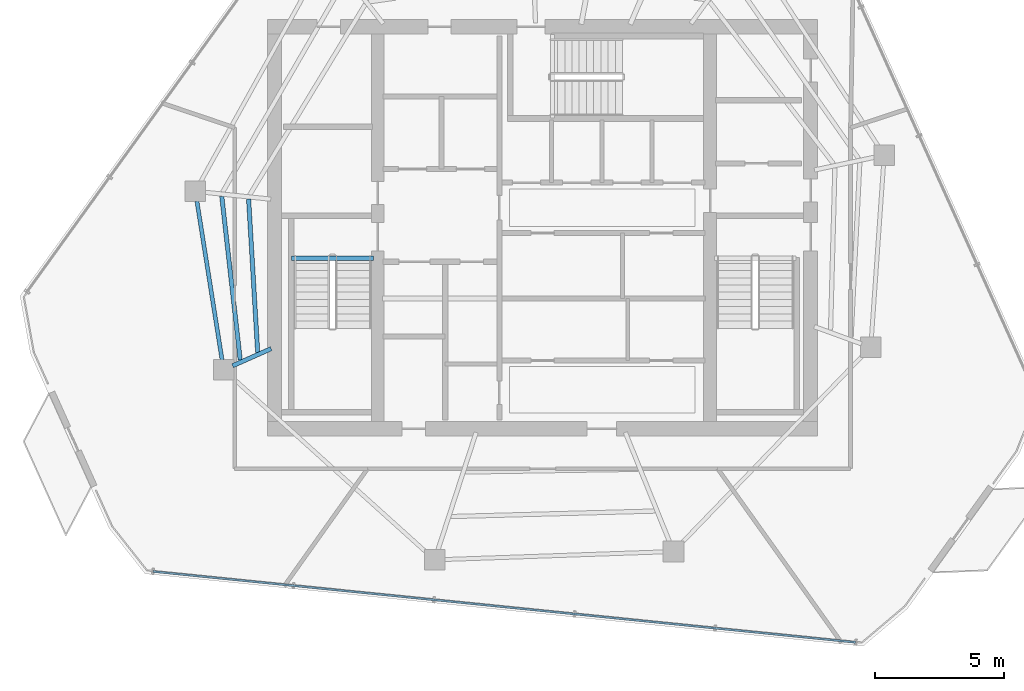
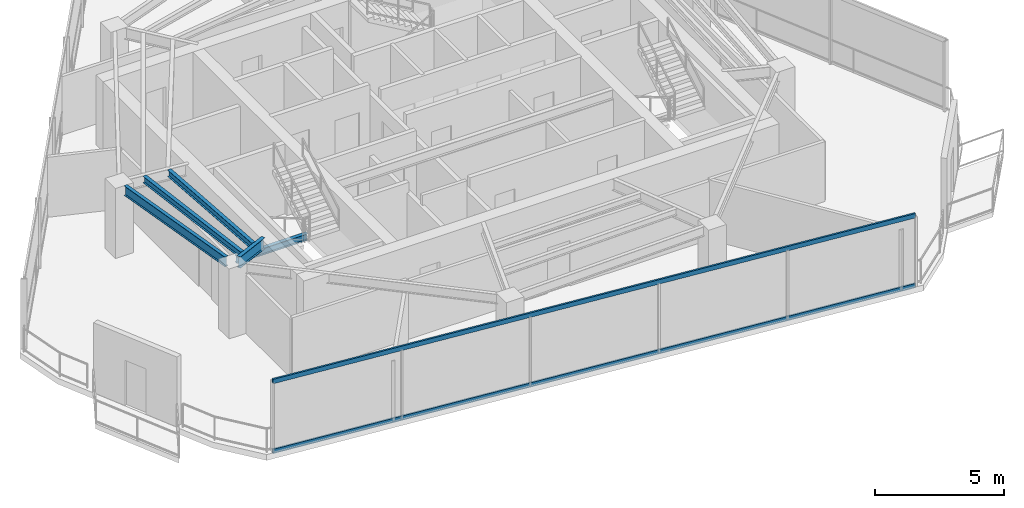
# One storey, part 3 of 18: 5 beams, 2 members, 1 element without a shape of its own.
"""IFC4 building model written with IfcOpenShell, lengths in metres."""

from ifc_helpers import new_model, si_unit, direction, frame, origin, origin_2d, place, context, subcontext, project, spatial, hollow_rectangle, i_section, extrude, material, layer, layer_set, material_profile, profile_set, type_object, element, aggregate, save


model = new_model("IFC4")

# Units and contexts
model_context = context("Model", 3, precision=1e-05, world=origin(), true_north=direction((0.0, 1.0)))
body_context = subcontext(model_context, "Body", "Model", "MODEL_VIEW")
ifc_project = project(units=[si_unit("LENGTHUNIT", "METRE"), si_unit("AREAUNIT", "SQUARE_METRE"), si_unit("VOLUMEUNIT", "CUBIC_METRE"), si_unit("PLANEANGLEUNIT", "RADIAN"), si_unit("MASSUNIT", "GRAM", prefix="KILO")], contexts=[model_context])

# Site, building, storey
site_placement = place(None, origin())
site = spatial("IfcSite", under=ifc_project, at=site_placement, CompositionType="ELEMENT")
building_placement = place(site_placement, origin())
building = spatial("IfcBuilding", under=site, at=building_placement, Name="Qarnah Convention Tower", CompositionType="ELEMENT")
storey_placement = place(building_placement, frame((0.0, 0.0, 271.5)))
storey = spatial("IfcBuildingStorey", under=building, at=storey_placement, Name="L73", CompositionType="ELEMENT", Elevation=271.5)

# Beams
ifc_material_1 = material(Name="Structural steel S355JR", Category="steel")
ifc_material_profile_1 = material_profile(ifc_material_1, i_section(OverallWidth=0.166015625, OverallDepth=0.31201171875, WebThickness=0.007080078125, FlangeThickness=0.010986328125, at=origin_2d()), Name="W310X45")
ifc_profile_set_1 = profile_set([ifc_material_profile_1], Name="Structural steel S355JR")
beam_type_1 = type_object("IfcBeamType", Name="BM-JST-W310", PredefinedType="JOIST", material=ifc_profile_set_1)
beam_1_placement = place(storey_placement, frame((27.4599609375, 25.217041015625, -0.156005859375), z_axis=(1.0, 0.0, 0.0), x_axis=(0.0, 1.0, 0.0)))
element("IfcBeam", 1, at=beam_1_placement, inside=storey, type_object=beam_type_1, Name="L73 stair landing trimmer beam BM-L73-ST1-TRM", PredefinedType="BEAM", context=body_context, shape_type="SweptSolid", body=[
    extrude(i_section(OverallWidth=0.166015625, OverallDepth=0.31201171875, WebThickness=0.007080078125, FlangeThickness=0.010986328125, at=origin_2d()), origin(), (0.0, 0.0, 1.0), 3.179931640625),
])
beam_2_placement = place(storey_placement, frame((24.7490234375, 27.6201171875, 3.1640625), z_axis=(0.111886248567, -0.993721020902, 0.0), x_axis=(0.993721020902, 0.111886248567, 0.0)))
element("IfcBeam", 2, at=beam_2_placement, inside=storey, type_object=beam_type_1, Name="L73 joist BM-L73-SJST-05", PredefinedType="JOIST", context=body_context, shape_type="SweptSolid", body=[
    extrude(i_section(OverallWidth=0.166015625, OverallDepth=0.31201171875, WebThickness=0.007080078125, FlangeThickness=0.010986328125, at=origin_2d()), origin(), (0.0, 0.0, 1.0), 6.39111328125),
])
beam_3_placement = place(storey_placement, frame((25.7900390625, 27.510009765625, 3.1640625), z_axis=(0.059154877701, -0.998248816901, 0.0), x_axis=(0.998248816901, 0.059154877701, 0.0)))
element("IfcBeam", 3, at=beam_3_placement, inside=storey, type_object=beam_type_1, Name="L73 joist BM-L73-IJST-05", PredefinedType="JOIST", context=body_context, shape_type="SweptSolid", body=[
    extrude(i_section(OverallWidth=0.166015625, OverallDepth=0.31201171875, WebThickness=0.007080078125, FlangeThickness=0.010986328125, at=origin_2d()), origin(), (0.0, 0.0, 1.0), 5.951416015625),
])
ifc_material_profile_2 = material_profile(ifc_material_1, i_section(OverallWidth=0.166015625, OverallDepth=0.535888671875, WebThickness=0.010009765625, FlangeThickness=0.01708984375, at=origin_2d()), Name="W530X85")
ifc_profile_set_2 = profile_set([ifc_material_profile_2], Name="Structural steel S355JR")
beam_type_2 = type_object("IfcBeamType", Name="BM-RAD-W530B", PredefinedType="BEAM", material=ifc_profile_set_2)
beam_4_placement = place(storey_placement, frame((26.6630859375, 21.708984375, 3.052001953125), z_axis=(-0.913688456795, -0.406415309652, 0.0), x_axis=(0.406415309652, -0.913688456795, 0.0)))
element("IfcBeam", 4, at=beam_4_placement, inside=storey, type_object=beam_type_2, Name="L73 beam BM-L73-RAD-06", PredefinedType="BEAM", context=body_context, shape_type="SweptSolid", body=[
    extrude(i_section(OverallWidth=0.166015625, OverallDepth=0.535888671875, WebThickness=0.010009765625, FlangeThickness=0.01708984375, at=origin_2d()), origin(), (0.0, 0.0, 1.0), 1.636474609375),
])
ifc_material_profile_3 = material_profile(ifc_material_1, i_section(OverallWidth=0.154052734375, OverallDepth=0.4599609375, WebThickness=0.009033203125, FlangeThickness=0.014892578125, at=origin_2d()), Name="W460X68")
ifc_profile_set_3 = profile_set([ifc_material_profile_3], Name="Structural steel S355JR")
beam_type_3 = type_object("IfcBeamType", Name="BM-SPN-W460B", PredefinedType="SPANDREL", material=ifc_profile_set_3)
beam_5_placement = place(storey_placement, frame((23.784912109375, 27.430908203125, 3.090087890625), z_axis=(0.156423110156, -0.987690138965, 0.0), x_axis=(0.987690138965, 0.156423110156, 0.0)))
element("IfcBeam", 5, at=beam_5_placement, inside=storey, type_object=beam_type_3, Name="L73 spandrel BM-L73-SPN-05", PredefinedType="SPANDREL", context=body_context, shape_type="SweptSolid", body=[
    extrude(i_section(OverallWidth=0.154052734375, OverallDepth=0.4599609375, WebThickness=0.009033203125, FlangeThickness=0.014892578125, at=origin_2d()), origin(), (0.0, 0.0, 1.0), 6.233642578125),
])

# Curtain wall, members
ifc_material_2 = material(Name="Tempered Low-E dark glass", Category="glass")
ifc_layer = layer(ifc_material_2, 0.176025390625)
ifc_layer_set = layer_set([ifc_layer], Name="Tempered Low-E dark glass")
curtain_wall_type = type_object("IfcCurtainWallType", Name="CWS-05", PredefinedType="NOTDEFINED", material=ifc_layer_set)
curtain_wall_placement = place(storey_placement, origin())
curtain_wall = element("IfcCurtainWall", 6, at=curtain_wall_placement, inside=storey, type_object=curtain_wall_type, Name="L73 unitised curtain wall CW-L73-F3", PredefinedType="NOTDEFINED")
ifc_material_3 = material(Name="Black anodised aluminium", Category="aluminium")
ifc_material_profile_4 = material_profile(ifc_material_3, hollow_rectangle(XDim=0.080078125, YDim=0.2099609375, WallThickness=0.0048828125, at=origin_2d()), Name="TRN-80X210")
ifc_profile_set_4 = profile_set([ifc_material_profile_4], Name="Black anodised aluminium")
member_type = type_object("IfcMemberType", Name="TRN-T5", PredefinedType="USERDEFINED", material=ifc_profile_set_4)
member_1_placement = place(storey_placement, frame((49.34912109375, 10.31103515625, 0.0), z_axis=(-0.994952330138, 0.100348695821, 0.0), x_axis=(-0.100348695821, -0.994952330138, 0.0)))
member_1 = element("IfcMember", 7, at=member_1_placement, type_object=member_type, Name="CW-L73-F3 transom 1", ObjectType="TRANSOM", PredefinedType="USERDEFINED", context=body_context, shape_type="SweptSolid", body=[
    extrude(hollow_rectangle(XDim=0.080078125, YDim=0.2099609375, WallThickness=0.0048828125, at=origin_2d()), origin(), (0.0, 0.0, 1.0), 27.404541015625),
])
member_2_placement = place(storey_placement, frame((49.34912109375, 10.31103515625, 3.320068359375), z_axis=(-0.994952330138, 0.100348695821, 0.0), x_axis=(-0.100348695821, -0.994952330138, 0.0)))
member_2 = element("IfcMember", 8, at=member_2_placement, type_object=member_type, Name="CW-L73-F3 transom 2", ObjectType="TRANSOM", PredefinedType="USERDEFINED", context=body_context, shape_type="SweptSolid", body=[
    extrude(hollow_rectangle(XDim=0.080078125, YDim=0.2099609375, WallThickness=0.0048828125, at=origin_2d()), origin(), (0.0, 0.0, 1.0), 27.404541015625),
])
aggregate(curtain_wall, [member_1, member_2])

save(model, "model.ifc")
